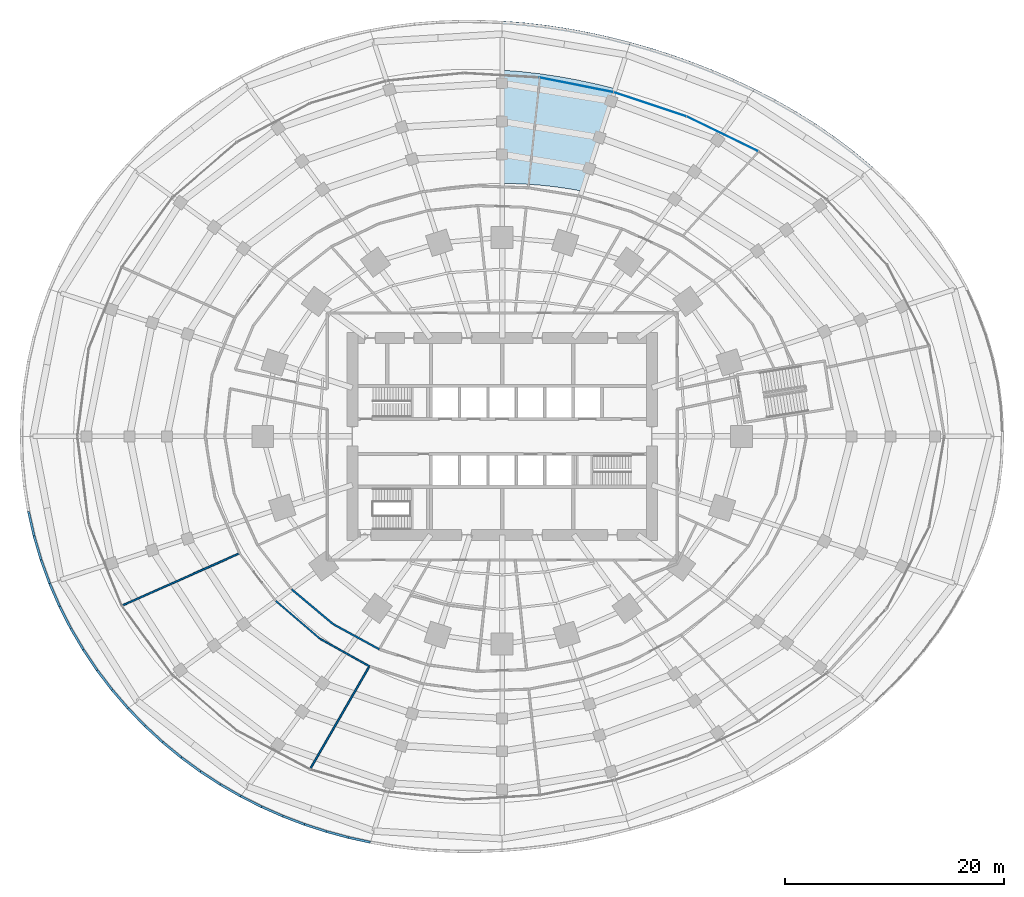
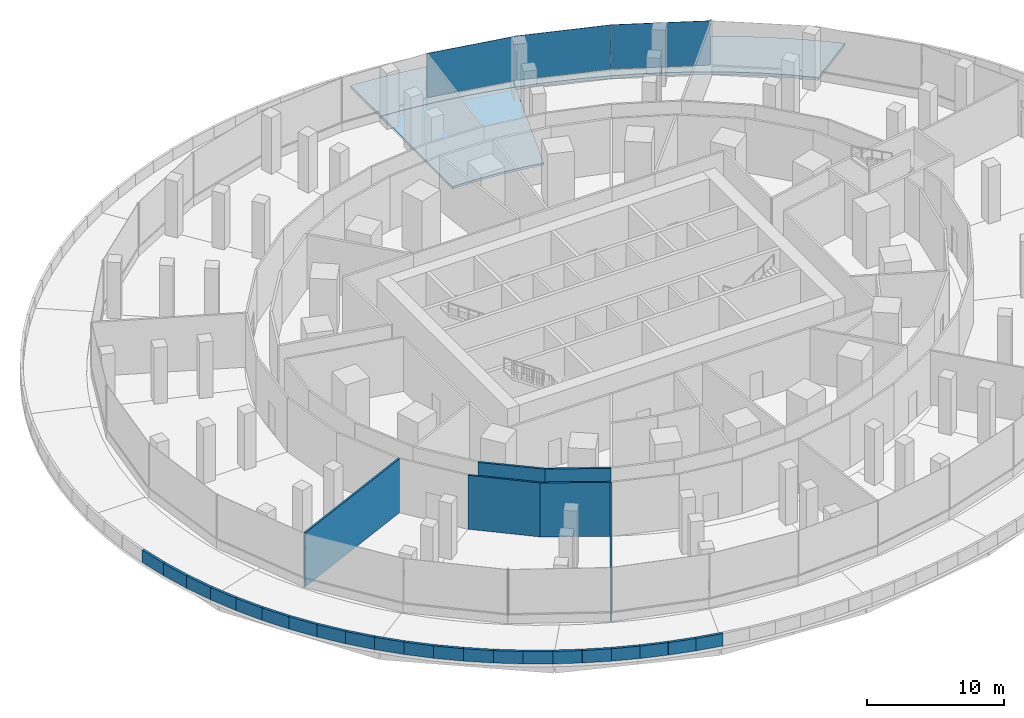
# One storey, part 21 of 31: 27 walls, 4 slabs, 3 plates, 2 elements without a shape of their own.
"""IFC4 building model written with IfcOpenShell, lengths in metres."""

from ifc_helpers import new_model, si_unit, direction, frame, frame_2d, origin, origin_2d, place, context, subcontext, project, spatial, polyline, rectangle, outline, extrude, material, layer, layer_set, type_object, element, aggregate, save


model = new_model("IFC4")

# Units and contexts
model_context = context("Model", 3, precision=1e-05, world=origin(), true_north=direction((0.0, 1.0)))
body_context = subcontext(model_context, "Body", "Model", "MODEL_VIEW")
ifc_project = project(units=[si_unit("LENGTHUNIT", "METRE"), si_unit("AREAUNIT", "SQUARE_METRE"), si_unit("VOLUMEUNIT", "CUBIC_METRE"), si_unit("PLANEANGLEUNIT", "RADIAN"), si_unit("MASSUNIT", "GRAM", prefix="KILO")], contexts=[model_context])

# Site, building, storey
site_placement = place(None, origin())
site = spatial("IfcSite", under=ifc_project, at=site_placement, CompositionType="ELEMENT")
building_placement = place(site_placement, origin())
building = spatial("IfcBuilding", under=site, at=building_placement, Name="Marramba Exchange Tower", CompositionType="ELEMENT")
storey_placement = place(building_placement, frame((0.0, 0.0, 5.60009765625)))
storey = spatial("IfcBuildingStorey", under=building, at=storey_placement, Name="L01", CompositionType="ELEMENT", Elevation=5.60009765625)

# Slabs
ifc_material_1 = material(Name="Concrete N40", Category="concrete")
ifc_layer_1 = layer(ifc_material_1, 0.199951171875)
ifc_layer_set_1 = layer_set([ifc_layer_1], Name="Floor slab 200")
slab_type_1 = type_object("IfcSlabType", Name="Floor slab 200", PredefinedType="FLOOR", material=ifc_layer_set_1)
slab_1_placement = place(storey_placement, frame((0.0, 0.0, -0.2001953125)))
element("IfcSlab", 1, at=slab_1_placement, inside=storey, type_object=slab_type_1, Name="Floor slab L01 podium bay 05", PredefinedType="FLOOR", context=body_context, shape_type="SweptSolid", body=[
    extrude(outline(polyline([(1.74853515625, 33.363037109375), (3.48583984375, 33.164794921875), (5.212158203125, 32.907470703125), (6.927978515625, 32.59375), (8.634521484375, 32.224853515625), (10.3330078125, 31.801513671875), (7.289794921875, 22.435302734375), (6.06982421875, 22.6533203125), (4.85205078125, 22.827392578125), (3.636474609375, 22.96044921875), (2.423095703125, 23.053955078125), (1.211181640625, 23.109619140625), (0.0, 23.1279296875), (0.0, 33.5), (1.74853515625, 33.363037109375)])), origin(), (0.0, 0.0, 1.0), 0.2001953125),
])
ifc_layer_2 = layer(ifc_material_1, 0.25)
ifc_layer_set_2 = layer_set([ifc_layer_2], Name="Planted roof slab 250")
slab_type_2 = type_object("IfcSlabType", Name="Planted roof slab 250", PredefinedType="ROOF", material=ifc_layer_set_2)
slab_2_placement = place(storey_placement, frame((0.0, 0.0, -0.25)))
element("IfcSlab", 2, at=slab_2_placement, inside=storey, type_object=slab_type_2, Name="Planted roof slab L01 bay 03", PredefinedType="ROOF", context=body_context, shape_type="SweptSolid", body=[
    extrude(outline(polyline([(23.0849609375, 31.773681640625), (24.9482421875, 30.808349609375), (26.7958984375, 29.759765625), (28.62255859375, 28.62255859375), (30.421630859375, 27.391845703125), (32.1845703125, 26.0625), (33.901123046875, 24.630615234375), (30.028076171875, 21.816650390625), (28.494873046875, 23.07470703125), (26.92236328125, 24.240966796875), (25.319580078125, 25.319580078125), (23.69384765625, 26.314697265625), (22.051513671875, 27.231201171875), (20.39697265625, 28.073974609375), (23.0849609375, 31.773681640625)])), origin(), (0.0, 0.0, 1.0), 0.25),
])
slab_3_placement = place(storey_placement, frame((0.0, 0.0, -0.25)))
element("IfcSlab", 3, at=slab_3_placement, inside=storey, type_object=slab_type_2, Name="Planted roof slab L01 bay 04", PredefinedType="ROOF", context=body_context, shape_type="SweptSolid", body=[
    extrude(outline(polyline([(13.628662109375, 35.504150390625), (15.53515625, 34.892578125), (17.43408203125, 34.216552734375), (19.325927734375, 33.4736328125), (21.210205078125, 32.66064453125), (23.0849609375, 31.773681640625), (20.39697265625, 28.073974609375), (18.73388671875, 28.84765625), (17.064208984375, 29.55615234375), (15.389404296875, 30.203125), (13.70947265625, 30.791748046875), (12.024169921875, 31.323974609375), (10.3330078125, 31.801513671875), (11.714111328125, 36.052734375), (13.628662109375, 35.504150390625)])), origin(), (0.0, 0.0, 1.0), 0.25),
])
slab_4_placement = place(storey_placement, frame((0.0, 0.0, -0.25)))
element("IfcSlab", 4, at=slab_4_placement, inside=storey, type_object=slab_type_2, Name="Planted roof slab L01 bay 05", PredefinedType="ROOF", context=body_context, shape_type="SweptSolid", body=[
    extrude(outline(polyline([(1.9833984375, 37.843994140625), (3.95361328125, 37.6171875), (5.911376953125, 37.322509765625), (7.856689453125, 36.962646484375), (9.79052734375, 36.538818359375), (11.714111328125, 36.052734375), (10.3330078125, 31.801513671875), (8.634521484375, 32.224853515625), (6.927978515625, 32.59375), (5.212158203125, 32.907470703125), (3.48583984375, 33.164794921875), (1.74853515625, 33.363037109375), (0.0, 33.5), (0.0, 38.0), (1.9833984375, 37.843994140625)])), origin(), (0.0, 0.0, 1.0), 0.25),
])

# Curtain wall, plate
ifc_material_2 = material(Name="Aluminium framing, bronze anodised", Category="aluminium")
curtain_wall_type = type_object("IfcCurtainWallType", Name="Podium ribbon curtain wall", PredefinedType="USERDEFINED", material=ifc_material_2)
curtain_wall_1_placement = place(storey_placement, origin())
curtain_wall_1 = element("IfcCurtainWall", 5, at=curtain_wall_1_placement, inside=storey, type_object=curtain_wall_type, Name="Curtain wall CW2 L01 F02-F05", ObjectType="RIBBON CURTAIN WALL", PredefinedType="USERDEFINED")
ifc_material_3 = material(Name="Double glazed unit 8 + 12 + 8.76, bronze tinted", Category="glass")
ifc_layer_3 = layer(ifc_material_3, 0.02880859375)
ifc_layer_set_3 = layer_set([ifc_layer_3], Name="Podium ribbon curtain wall panel")
plate_type = type_object("IfcPlateType", Name="Podium ribbon curtain wall panel", PredefinedType="CURTAIN_PANEL", material=ifc_layer_set_3)
plate_1_placement = place(storey_placement, frame((20.1474609375, 27.6669921875, 0.85986328125), z_axis=(0.0, 0.0, 1.0), x_axis=(-0.899119910794, 0.437702394342, 0.0)))
plate_1 = element("IfcPlate", 6, at=plate_1_placement, type_object=plate_type, Name="CW2 vision panel", PredefinedType="CURTAIN_PANEL", context=body_context, shape_type="SweptSolid", body=[
    extrude(rectangle(XDim=7.24755859375, YDim=0.02880859375, at=origin_2d()), origin(), (0.0, 0.0, 1.0), 3.93994140625),
])
aggregate(curtain_wall_1, [plate_1])

# Curtain wall, plates
curtain_wall_2_placement = place(storey_placement, origin())
curtain_wall_2 = element("IfcCurtainWall", 7, at=curtain_wall_2_placement, inside=storey, type_object=curtain_wall_type, Name="Curtain wall CW2 L01 F06-F10", ObjectType="RIBBON CURTAIN WALL", PredefinedType="USERDEFINED")
plate_2_placement = place(storey_placement, frame((13.528564453125, 30.370361328125, 0.85986328125), z_axis=(0.0, 0.0, 1.0), x_axis=(-0.948934098463, 0.315474367855, 0.0)))
plate_2 = element("IfcPlate", 8, at=plate_2_placement, type_object=plate_type, Name="CW2 vision panel", PredefinedType="CURTAIN_PANEL", context=body_context, shape_type="SweptSolid", body=[
    extrude(rectangle(XDim=6.963134765625, YDim=0.02880859375, at=origin_2d()), origin(), (0.0, 0.0, 1.0), 3.93994140625),
])
plate_3_placement = place(storey_placement, frame((6.8076171875, 32.1484375, 0.85986328125), z_axis=(0.0, 0.0, 1.0), x_axis=(-0.980779441764, 0.195119672541, 0.0)))
plate_3 = element("IfcPlate", 9, at=plate_3_placement, type_object=plate_type, Name="CW2 vision panel", PredefinedType="CURTAIN_PANEL", context=body_context, shape_type="SweptSolid", body=[
    extrude(rectangle(XDim=6.848388671875, YDim=0.02880859375, at=origin_2d()), origin(), (0.0, 0.0, 1.0), 3.93994140625),
])
aggregate(curtain_wall_2, [plate_2, plate_3])

# Walls
ifc_material_4 = material(Name="Plasterboard on staggered double steel studs, acoustic insulation", Category="steel")
ifc_layer_4 = layer(ifc_material_4, 0.169921875)
ifc_layer_set_4 = layer_set([ifc_layer_4], Name="Acoustic partition 170")
wall_type_1 = type_object("IfcWallType", Name="Acoustic partition 170", PredefinedType="PARTITIONING", material=ifc_layer_set_4)
wall_1_placement = place(storey_placement, frame((-15.459716796875, -17.169677734375, 0.0), z_axis=(0.0, 0.0, 1.0), x_axis=(-0.76601371381, 0.642824229673, 0.0)))
element("IfcWall", 10, at=wall_1_placement, inside=storey, type_object=wall_type_1, Name="Acoustic partition L01 11", PredefinedType="PARTITIONING", context=body_context, shape_type="SweptSolid", body=[
    extrude(rectangle(XDim=4.95068359375, YDim=0.169921875, at=frame_2d((2.475341796875, 0.0))), origin(), (0.0, 0.0, 1.0), 4.7998046875),
])
wall_2_placement = place(storey_placement, frame((-11.240966796875, -19.469970703125, 0.0), z_axis=(0.0, 0.0, 1.0), x_axis=(-0.877969347956, 0.478716851646, 0.0)))
element("IfcWall", 11, at=wall_2_placement, inside=storey, type_object=wall_type_1, Name="Acoustic partition L01 14", PredefinedType="PARTITIONING", context=body_context, shape_type="SweptSolid", body=[
    extrude(rectangle(XDim=4.80517578125, YDim=0.169921875, at=frame_2d((2.402587890625, 0.0))), origin(), (0.0, 0.0, 1.0), 4.7998046875),
])
ifc_layer_5 = layer(ifc_material_1, 0.199951171875)
ifc_layer_set_5 = layer_set([ifc_layer_5], Name="Roof parapet 200")
wall_type_2 = type_object("IfcWallType", Name="Roof parapet 200", PredefinedType="PARAPET", material=ifc_layer_set_5)
wall_3_placement = place(storey_placement, frame((-43.322021484375, -6.861572265625, 0.0), z_axis=(0.0, 0.0, 1.0), x_axis=(0.220678674432, -0.975346565407, 0.0)))
element("IfcWall", 12, at=wall_3_placement, inside=storey, type_object=wall_type_2, Name="Parapet L01 bay 11", PredefinedType="PARAPET", context=body_context, shape_type="SweptSolid", body=[
    extrude(rectangle(XDim=2.295654296875, YDim=0.199951171875, at=frame_2d((1.14794921875, 0.0))), origin(), (0.0, 0.0, 1.0), 1.099853515625),
])
wall_4_placement = place(storey_placement, frame((-42.8154296875, -9.1005859375, 0.0), z_axis=(0.0, 0.0, 1.0), x_axis=(0.281693303794, -0.959504498477, 0.0)))
element("IfcWall", 13, at=wall_4_placement, inside=storey, type_object=wall_type_2, Name="Parapet L01 bay 11", PredefinedType="PARAPET", context=body_context, shape_type="SweptSolid", body=[
    extrude(rectangle(XDim=2.29150390625, YDim=0.199951171875, at=frame_2d((1.145751953125, 0.0))), origin(), (0.0, 0.0, 1.0), 1.099853515625),
])
wall_5_placement = place(storey_placement, frame((-42.169921875, -11.29931640625, 0.0), z_axis=(0.0, 0.0, 1.0), x_axis=(0.340979832068, -0.940070611243, 0.0)))
element("IfcWall", 14, at=wall_5_placement, inside=storey, type_object=wall_type_2, Name="Parapet L01 bay 11", PredefinedType="PARAPET", context=body_context, shape_type="SweptSolid", body=[
    extrude(rectangle(XDim=2.2861328125, YDim=0.199951171875, at=frame_2d((1.14306640625, 0.0))), origin(), (0.0, 0.0, 1.0), 1.099853515625),
])
wall_6_placement = place(storey_placement, frame((-41.390380859375, -13.448486328125, 0.0), z_axis=(0.0, 0.0, 1.0), x_axis=(0.398463745058, -0.917184083962, 0.0)))
element("IfcWall", 15, at=wall_6_placement, inside=storey, type_object=wall_type_2, Name="Parapet L01 bay 12", PredefinedType="PARAPET", context=body_context, shape_type="SweptSolid", body=[
    extrude(rectangle(XDim=2.27978515625, YDim=0.199951171875, at=frame_2d((1.139892578125, 0.0))), origin(), (0.0, 0.0, 1.0), 1.099853515625),
])
wall_7_placement = place(storey_placement, frame((-40.48193359375, -15.53955078125, 0.0), z_axis=(0.0, 0.0, 1.0), x_axis=(0.453904859471, -0.891050154901, 0.0)))
element("IfcWall", 16, at=wall_7_placement, inside=storey, type_object=wall_type_2, Name="Parapet L01 bay 12", PredefinedType="PARAPET", context=body_context, shape_type="SweptSolid", body=[
    extrude(rectangle(XDim=2.2724609375, YDim=0.199951171875, at=frame_2d((1.13623046875, 0.0))), origin(), (0.0, 0.0, 1.0), 1.099853515625),
])
wall_8_placement = place(storey_placement, frame((-39.450439453125, -17.564453125, 0.0), z_axis=(0.0, 0.0, 1.0), x_axis=(0.507199173793, -0.861828868224, 0.0)))
element("IfcWall", 17, at=wall_8_placement, inside=storey, type_object=wall_type_2, Name="Parapet L01 bay 12", PredefinedType="PARAPET", context=body_context, shape_type="SweptSolid", body=[
    extrude(rectangle(XDim=2.26416015625, YDim=0.199951171875, at=frame_2d((1.132080078125, 0.0))), origin(), (0.0, 0.0, 1.0), 1.099853515625),
])
wall_9_placement = place(storey_placement, frame((-38.302001953125, -19.515869140625, 0.0), z_axis=(0.0, 0.0, 1.0), x_axis=(0.557993733425, -0.82984516234, 0.0)))
element("IfcWall", 18, at=wall_9_placement, inside=storey, type_object=wall_type_2, Name="Parapet L01 bay 12", PredefinedType="PARAPET", context=body_context, shape_type="SweptSolid", body=[
    extrude(rectangle(XDim=2.255126953125, YDim=0.199951171875, at=frame_2d((1.12744140625, 0.0))), origin(), (0.0, 0.0, 1.0), 1.099853515625),
])
wall_10_placement = place(storey_placement, frame((-37.043701171875, -21.38720703125, 0.0), z_axis=(0.0, 0.0, 1.0), x_axis=(0.606383916635, -0.795172022675, 0.0)))
element("IfcWall", 19, at=wall_10_placement, inside=storey, type_object=wall_type_2, Name="Parapet L01 bay 12", PredefinedType="PARAPET", context=body_context, shape_type="SweptSolid", body=[
    extrude(rectangle(XDim=2.244873046875, YDim=0.199951171875, at=frame_2d((1.12255859375, 0.0))), origin(), (0.0, 0.0, 1.0), 1.099853515625),
])
wall_11_placement = place(storey_placement, frame((-35.682373046875, -23.17236328125, 0.0), z_axis=(0.0, 0.0, 1.0), x_axis=(0.652005349453, -0.758214365654, 0.0)))
element("IfcWall", 20, at=wall_11_placement, inside=storey, type_object=wall_type_2, Name="Parapet L01 bay 12", PredefinedType="PARAPET", context=body_context, shape_type="SweptSolid", body=[
    extrude(rectangle(XDim=2.234375, YDim=0.199951171875, at=frame_2d((1.1171875, 0.0))), origin(), (0.0, 0.0, 1.0), 1.099853515625),
])
wall_12_placement = place(storey_placement, frame((-34.2255859375, -24.866455078125, 0.0), z_axis=(0.0, 0.0, 1.0), x_axis=(0.69491987314, -0.719087178244, 0.0)))
element("IfcWall", 21, at=wall_12_placement, inside=storey, type_object=wall_type_2, Name="Parapet L01 bay 13", PredefinedType="PARAPET", context=body_context, shape_type="SweptSolid", body=[
    extrude(rectangle(XDim=2.222412109375, YDim=0.199951171875, at=frame_2d((1.111328125, 0.0))), origin(), (0.0, 0.0, 1.0), 1.099853515625),
])
wall_13_placement = place(storey_placement, frame((-32.68115234375, -26.464599609375, 0.0), z_axis=(0.0, 0.0, 1.0), x_axis=(0.7351336392, -0.677922217159, 0.0)))
element("IfcWall", 22, at=wall_13_placement, inside=storey, type_object=wall_type_2, Name="Parapet L01 bay 13", PredefinedType="PARAPET", context=body_context, shape_type="SweptSolid", body=[
    extrude(rectangle(XDim=2.21044921875, YDim=0.199951171875, at=frame_2d((1.105224609375, 0.0))), origin(), (0.0, 0.0, 1.0), 1.099853515625),
])
wall_14_placement = place(storey_placement, frame((-31.05615234375, -27.963134765625, 0.0), z_axis=(0.0, 0.0, 1.0), x_axis=(0.772375825238, -0.635165792993, 0.0)))
element("IfcWall", 23, at=wall_14_placement, inside=storey, type_object=wall_type_2, Name="Parapet L01 bay 13", PredefinedType="PARAPET", context=body_context, shape_type="SweptSolid", body=[
    extrude(rectangle(XDim=2.197509765625, YDim=0.199951171875, at=frame_2d((1.0986328125, 0.0))), origin(), (0.0, 0.0, 1.0), 1.099853515625),
])
wall_15_placement = place(storey_placement, frame((-29.35888671875, -29.35888671875, 0.0), z_axis=(0.0, 0.0, 1.0), x_axis=(0.806749581927, -0.590893486222, 0.0)))
element("IfcWall", 24, at=wall_15_placement, inside=storey, type_object=wall_type_2, Name="Parapet L01 bay 13", PredefinedType="PARAPET", context=body_context, shape_type="SweptSolid", body=[
    extrude(rectangle(XDim=2.18408203125, YDim=0.199951171875, at=frame_2d((1.092041015625, 0.0))), origin(), (0.0, 0.0, 1.0), 1.099853515625),
])
wall_16_placement = place(storey_placement, frame((-27.596923828125, -30.6494140625, 0.0), z_axis=(0.0, 0.0, 1.0), x_axis=(0.838109326127, -0.545502298307, 0.0)))
element("IfcWall", 25, at=wall_16_placement, inside=storey, type_object=wall_type_2, Name="Parapet L01 bay 13", PredefinedType="PARAPET", context=body_context, shape_type="SweptSolid", body=[
    extrude(rectangle(XDim=2.170166015625, YDim=0.199951171875, at=frame_2d((1.0849609375, 0.0))), origin(), (0.0, 0.0, 1.0), 1.099853515625),
])
wall_17_placement = place(storey_placement, frame((-25.778076171875, -31.833251953125, 0.0), z_axis=(0.0, 0.0, 1.0), x_axis=(0.86663581123, -0.498941249742, 0.0)))
element("IfcWall", 26, at=wall_17_placement, inside=storey, type_object=wall_type_2, Name="Parapet L01 bay 13", PredefinedType="PARAPET", context=body_context, shape_type="SweptSolid", body=[
    extrude(rectangle(XDim=2.156005859375, YDim=0.199951171875, at=frame_2d((1.078125, 0.0))), origin(), (0.0, 0.0, 1.0), 1.099853515625),
])
wall_18_placement = place(storey_placement, frame((-23.90966796875, -32.908935546875, 0.0), z_axis=(0.0, 0.0, 1.0), x_axis=(0.89208909401, -0.451859544934, 0.0)))
element("IfcWall", 27, at=wall_18_placement, inside=storey, type_object=wall_type_2, Name="Parapet L01 bay 14", PredefinedType="PARAPET", context=body_context, shape_type="SweptSolid", body=[
    extrude(rectangle(XDim=2.14111328125, YDim=0.199951171875, at=frame_2d((1.070556640625, 0.0))), origin(), (0.0, 0.0, 1.0), 1.099853515625),
])
wall_19_placement = place(storey_placement, frame((-21.99951171875, -33.87646484375, 0.0), z_axis=(0.0, 0.0, 1.0), x_axis=(0.914619460202, -0.404315771421, 0.0)))
element("IfcWall", 28, at=wall_19_placement, inside=storey, type_object=wall_type_2, Name="Parapet L01 bay 14", PredefinedType="PARAPET", context=body_context, shape_type="SweptSolid", body=[
    extrude(rectangle(XDim=2.126220703125, YDim=0.199951171875, at=frame_2d((1.06298828125, 0.0))), origin(), (0.0, 0.0, 1.0), 1.099853515625),
])
wall_20_placement = place(storey_placement, frame((-20.054931640625, -34.736083984375, 0.0), z_axis=(0.0, 0.0, 1.0), x_axis=(0.934298930439, -0.356490544869, 0.0)))
element("IfcWall", 29, at=wall_20_placement, inside=storey, type_object=wall_type_2, Name="Parapet L01 bay 14", PredefinedType="PARAPET", context=body_context, shape_type="SweptSolid", body=[
    extrude(rectangle(XDim=2.111328125, YDim=0.199951171875, at=frame_2d((1.0556640625, 0.0))), origin(), (0.0, 0.0, 1.0), 1.099853515625),
])
wall_21_placement = place(storey_placement, frame((-18.082275390625, -35.48876953125, 0.0), z_axis=(0.0, 0.0, 1.0), x_axis=(0.951123913208, -0.308809490988, 0.0)))
element("IfcWall", 30, at=wall_21_placement, inside=storey, type_object=wall_type_2, Name="Parapet L01 bay 14", PredefinedType="PARAPET", context=body_context, shape_type="SweptSolid", body=[
    extrude(rectangle(XDim=2.095947265625, YDim=0.199951171875, at=frame_2d((1.0478515625, 0.0))), origin(), (0.0, 0.0, 1.0), 1.099853515625),
])
wall_22_placement = place(storey_placement, frame((-16.0888671875, -36.135986328125, 0.0), z_axis=(0.0, 0.0, 1.0), x_axis=(0.9651714633, -0.26161813093, 0.0)))
element("IfcWall", 31, at=wall_22_placement, inside=storey, type_object=wall_type_2, Name="Parapet L01 bay 14", PredefinedType="PARAPET", context=body_context, shape_type="SweptSolid", body=[
    extrude(rectangle(XDim=2.0810546875, YDim=0.199951171875, at=frame_2d((1.04052734375, 0.0))), origin(), (0.0, 0.0, 1.0), 1.099853515625),
])
wall_23_placement = place(storey_placement, frame((-14.080322265625, -36.680419921875, 0.0), z_axis=(0.0, 0.0, 1.0), x_axis=(0.97662710632, -0.21494067833, 0.0)))
element("IfcWall", 32, at=wall_23_placement, inside=storey, type_object=wall_type_2, Name="Parapet L01 bay 14", PredefinedType="PARAPET", context=body_context, shape_type="SweptSolid", body=[
    extrude(rectangle(XDim=2.066162109375, YDim=0.199951171875, at=frame_2d((1.033203125, 0.0))), origin(), (0.0, 0.0, 1.0), 1.099853515625),
])
ifc_material_5 = material(Name="Fire-rated plasterboard on steel studs, acoustic insulation", Category="steel")
ifc_layer_6 = layer(ifc_material_5, 0.14990234375)
ifc_layer_set_6 = layer_set([ifc_layer_6], Name="Tenancy wall 150")
wall_type_3 = type_object("IfcWallType", Name="Tenancy wall 150", PredefinedType="PARTITIONING", material=ifc_layer_set_6)
wall_24_placement = place(storey_placement, frame((-24.014892578125, -10.692138671875, 0.0), z_axis=(0.0, 0.0, 1.0), x_axis=(-0.91354558487, -0.406736357318, 0.0)))
element("IfcWall", 33, at=wall_24_placement, inside=storey, type_object=wall_type_3, Name="Tenancy wall L01 06", PredefinedType="PARTITIONING", context=body_context, shape_type="SweptSolid", body=[
    extrude(rectangle(XDim=11.705322265625, YDim=0.14990234375, at=frame_2d((5.8525390625, 0.0))), origin(), (0.0, 0.0, 1.0), 4.7998046875),
])
wall_25_placement = place(storey_placement, frame((-20.7080078125, -15.04541015625, 0.0), z_axis=(0.0, 0.0, 1.0), x_axis=(0.759657885164, -0.650322917871, 0.0)))
element("IfcWall", 34, at=wall_25_placement, inside=storey, type_object=wall_type_3, Name="Tenancy wall L01 12", PredefinedType="PARTITIONING", context=body_context, shape_type="SweptSolid", body=[
    extrude(rectangle(XDim=5.323486328125, YDim=0.14990234375, at=frame_2d((2.66162109375, 0.0))), origin(), (0.0, 0.0, 1.0), 4.7998046875),
])
wall_26_placement = place(storey_placement, frame((-16.6640625, -18.50732421875, 0.0), z_axis=(0.0, 0.0, 1.0), x_axis=(0.873440229319, -0.486931376898, 0.0)))
element("IfcWall", 35, at=wall_26_placement, inside=storey, type_object=wall_type_3, Name="Tenancy wall L01 15", PredefinedType="PARTITIONING", context=body_context, shape_type="SweptSolid", body=[
    extrude(rectangle(XDim=5.17822265625, YDim=0.14990234375, at=frame_2d((2.589111328125, 0.0))), origin(), (0.0, 0.0, 1.0), 4.7998046875),
])
wall_27_placement = place(storey_placement, frame((-12.14111328125, -21.02880859375, 0.0), z_axis=(0.0, 0.0, 1.0), x_axis=(-0.500001376791, -0.866024608893, 0.0)))
element("IfcWall", 36, at=wall_27_placement, inside=storey, type_object=wall_type_3, Name="Tenancy wall L01 17", PredefinedType="PARTITIONING", context=body_context, shape_type="SweptSolid", body=[
    extrude(rectangle(XDim=10.8095703125, YDim=0.14990234375, at=frame_2d((5.40478515625, 0.0))), origin(), (0.0, 0.0, 1.0), 4.7998046875),
])

save(model, "model.ifc")
